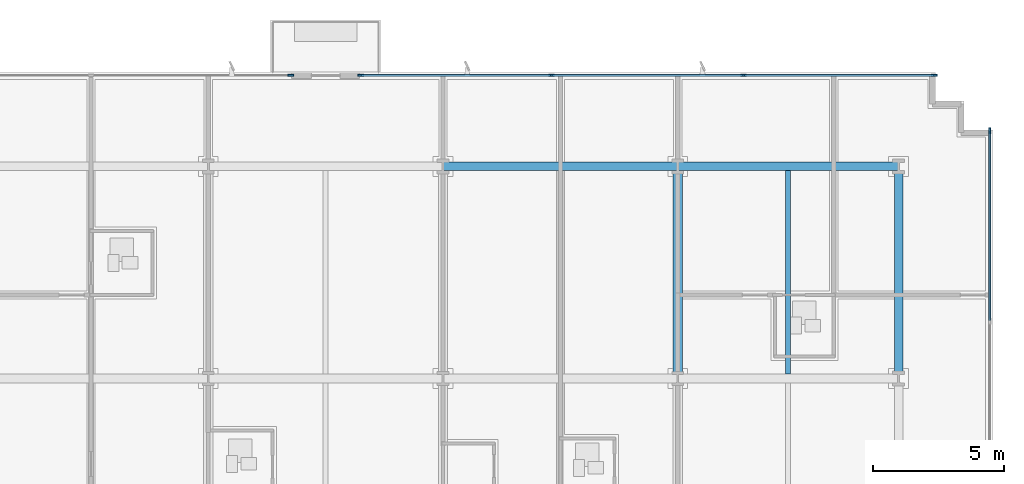
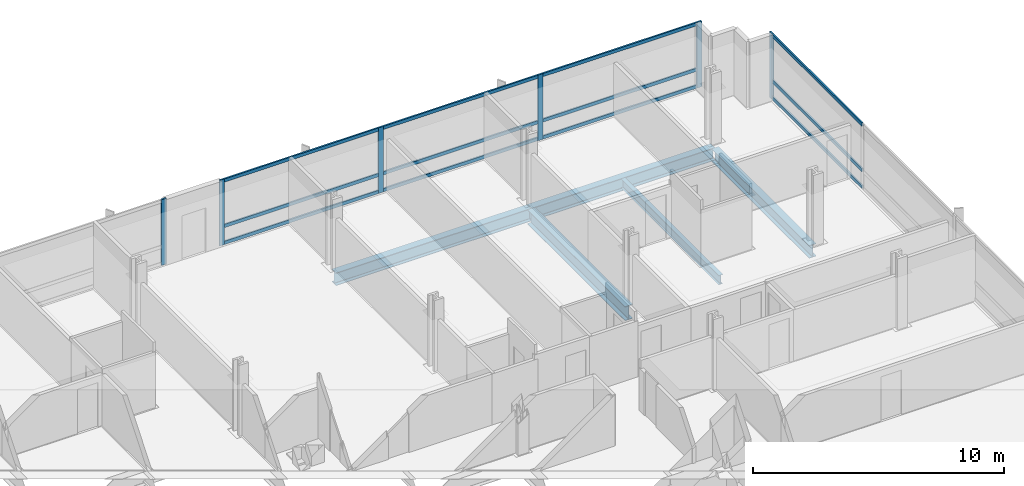
# One storey, part 6 of 18: 18 members, 5 beams, 3 elements without a shape of their own.
"""IFC4 building model written with IfcOpenShell, lengths in metres."""

from ifc_helpers import new_model, si_unit, direction, frame, origin, origin_2d, place, context, subcontext, project, spatial, rectangle, i_section, extrude, material, material_profile, profile_set, type_object, element, aggregate, save


model = new_model("IFC4")

# Units and contexts
model_context = context("Model", 3, precision=1e-05, world=origin(), true_north=direction((0.0, 1.0)))
body_context = subcontext(model_context, "Body", "Model", "MODEL_VIEW")
ifc_project = project(units=[si_unit("LENGTHUNIT", "METRE"), si_unit("AREAUNIT", "SQUARE_METRE"), si_unit("VOLUMEUNIT", "CUBIC_METRE"), si_unit("PLANEANGLEUNIT", "RADIAN"), si_unit("MASSUNIT", "GRAM", prefix="KILO")], contexts=[model_context])

# Site, building, storey
site_placement = place(None, origin())
site = spatial("IfcSite", under=ifc_project, at=site_placement, CompositionType="ELEMENT")
building_placement = place(site_placement, origin())
building = spatial("IfcBuilding", under=site, at=building_placement, Name="Solmavex Isthmus Hotel", CompositionType="ELEMENT")
storey_placement = place(building_placement, frame((0.0, 0.0, 43.64990234375)))
storey = spatial("IfcBuildingStorey", under=building, at=storey_placement, Name="L11", CompositionType="ELEMENT", Elevation=43.64990234375)

# Beams
ifc_material_1 = material(Name="Steel ASTM A992 Grade 50", Category="steel")
ifc_material_profile_1 = material_profile(ifc_material_1, i_section(OverallWidth=0.354736328125, OverallDepth=0.695556640625, WebThickness=0.015380859375, FlangeThickness=0.02490234375, FilletRadius=0.017822265625, at=origin_2d()), Name="W27X146")
ifc_profile_set_1 = profile_set([ifc_material_profile_1], Name="Steel ASTM A992 Grade 50")
beam_type_1 = type_object("IfcBeamType", Name="BM-BG-W27X146", PredefinedType="BEAM", material=ifc_profile_set_1)
beam_1_placement = place(storey_placement, frame((17.951904296875, 8.96533203125, -0.607666015625), z_axis=(0.0, 1.0, 0.0), x_axis=(-1.0, 0.0, 0.0)))
element("IfcBeam", 1, at=beam_1_placement, inside=storey, type_object=beam_type_1, Name="Floor Beam L11-VG45", PredefinedType="BEAM", context=body_context, shape_type="SweptSolid", body=[
    extrude(i_section(OverallWidth=0.354736328125, OverallDepth=0.695556640625, WebThickness=0.015380859375, FlangeThickness=0.02490234375, FilletRadius=0.017822265625, at=origin_2d()), origin(), (0.0, 0.0, 1.0), 7.771484375),
])
ifc_material_profile_2 = material_profile(ifc_material_1, i_section(OverallWidth=0.1904296875, OverallDepth=0.456787109375, WebThickness=0.009033203125, FlangeThickness=0.014404296875, FilletRadius=0.0126953125, at=origin_2d()), Name="W18X50")
ifc_profile_set_2 = profile_set([ifc_material_profile_2], Name="Steel ASTM A992 Grade 50")
beam_type_2 = type_object("IfcBeamType", Name="BM-BJ-W18X50", PredefinedType="JOIST", material=ifc_profile_set_2)
beam_2_placement = place(storey_placement, frame((22.176025390625, 8.96533203125, -0.48828125), z_axis=(0.0, 1.0, 0.0), x_axis=(-1.0, 0.0, 0.0)))
element("IfcBeam", 2, at=beam_2_placement, inside=storey, type_object=beam_type_2, Name="Secondary Floor Joist L11-J22", PredefinedType="JOIST", context=body_context, shape_type="SweptSolid", body=[
    extrude(i_section(OverallWidth=0.1904296875, OverallDepth=0.456787109375, WebThickness=0.009033203125, FlangeThickness=0.014404296875, FilletRadius=0.0126953125, at=origin_2d()), origin(), (0.0, 0.0, 1.0), 7.771484375),
])
ifc_material_profile_3 = material_profile(ifc_material_1, i_section(OverallWidth=0.326416015625, OverallDepth=0.621826171875, WebThickness=0.015380859375, FlangeThickness=0.0244140625, FilletRadius=0.01513671875, at=origin_2d()), Name="W24X131")
ifc_profile_set_3 = profile_set([ifc_material_profile_3], Name="Steel ASTM A992 Grade 50")
beam_type_3 = type_object("IfcBeamType", Name="BM-SP-W24X131", PredefinedType="SPANDREL", material=ifc_profile_set_3)
beam_3_placement = place(storey_placement, frame((8.97607421875, 16.89990234375, -0.57080078125), z_axis=(1.0, 0.0, 0.0), x_axis=(0.0, 1.0, 0.0)))
element("IfcBeam", 3, at=beam_3_placement, inside=storey, type_object=beam_type_3, Name="Floor Girder L11-UG23", PredefinedType="SPANDREL", context=body_context, shape_type="SweptSolid", body=[
    extrude(i_section(OverallWidth=0.326416015625, OverallDepth=0.621826171875, WebThickness=0.015380859375, FlangeThickness=0.0244140625, FilletRadius=0.01513671875, at=origin_2d()), origin(), (0.0, 0.0, 1.0), 8.975830078125),
])
beam_4_placement = place(storey_placement, frame((17.951904296875, 16.89990234375, -0.57080078125), z_axis=(1.0, 0.0, 0.0), x_axis=(0.0, 1.0, 0.0)))
element("IfcBeam", 4, at=beam_4_placement, inside=storey, type_object=beam_type_3, Name="Floor Girder L11-UG24", PredefinedType="SPANDREL", context=body_context, shape_type="SweptSolid", body=[
    extrude(i_section(OverallWidth=0.326416015625, OverallDepth=0.621826171875, WebThickness=0.015380859375, FlangeThickness=0.0244140625, FilletRadius=0.01513671875, at=origin_2d()), origin(), (0.0, 0.0, 1.0), 8.447998046875),
])
beam_5_placement = place(storey_placement, frame((26.39990234375, 8.96533203125, -0.57080078125), z_axis=(0.0, 1.0, 0.0), x_axis=(-1.0, 0.0, 0.0)))
element("IfcBeam", 5, at=beam_5_placement, inside=storey, type_object=beam_type_3, Name="Floor Beam L11-VG48", PredefinedType="SPANDREL", context=body_context, shape_type="SweptSolid", body=[
    extrude(i_section(OverallWidth=0.326416015625, OverallDepth=0.621826171875, WebThickness=0.015380859375, FlangeThickness=0.0244140625, FilletRadius=0.01513671875, at=origin_2d()), origin(), (0.0, 0.0, 1.0), 7.771484375),
])

# Curtain wall, member
ifc_material_2 = material(Name="Aluminium alloy 6063-T6", Category="aluminium")
curtain_wall_type = type_object("IfcCurtainWallType", Name="CW-SYS-02", PredefinedType="NOTDEFINED", material=ifc_material_2)
curtain_wall_1_placement = place(storey_placement, origin())
curtain_wall_1 = element("IfcCurtainWall", 6, at=curtain_wall_1_placement, inside=storey, type_object=curtain_wall_type, Name="Stick Curtain Wall CWL-L11-N2", PredefinedType="NOTDEFINED")
ifc_material_profile_4 = material_profile(ifc_material_2, rectangle(XDim=0.074951171875, YDim=0.219970703125, at=origin_2d()), Name="CWM-75X220")
ifc_profile_set_4 = profile_set([ifc_material_profile_4], Name="Aluminium alloy 6063-T6")
member_type_1 = type_object("IfcMemberType", Name="CW-SYS-02-MUL", PredefinedType="MULLION", material=ifc_profile_set_4)
member_1_placement = place(storey_placement, frame((3.150390625, 20.3798828125, 0.0), z_axis=(0.0, 0.0, 1.0), x_axis=(0.0, 1.0, 0.0)))
member_1 = element("IfcMember", 7, at=member_1_placement, type_object=member_type_1, Name="CW-02 mullion 3", PredefinedType="MULLION", context=body_context, shape_type="SweptSolid", body=[
    extrude(rectangle(XDim=0.074951171875, YDim=0.219970703125, at=origin_2d()), origin(), (0.0, 0.0, 1.0), 3.190185546875),
])
aggregate(curtain_wall_1, [member_1])

# Curtain wall, members
curtain_wall_2_placement = place(storey_placement, origin())
curtain_wall_2 = element("IfcCurtainWall", 8, at=curtain_wall_2_placement, inside=storey, type_object=curtain_wall_type, Name="Stick Curtain Wall CWL-L11-N3", PredefinedType="NOTDEFINED")
member_2_placement = place(storey_placement, frame((5.825439453125, 20.3798828125, 0.0), z_axis=(0.0, 0.0, 1.0), x_axis=(0.0, 1.0, 0.0)))
member_2 = element("IfcMember", 9, at=member_2_placement, type_object=member_type_1, Name="CW-02 mullion 1", PredefinedType="MULLION", context=body_context, shape_type="SweptSolid", body=[
    extrude(rectangle(XDim=0.074951171875, YDim=0.219970703125, at=origin_2d()), origin(), (0.0, 0.0, 1.0), 3.190185546875),
])
member_3_placement = place(storey_placement, frame((13.125244140625, 20.3798828125, 0.0), z_axis=(0.0, 0.0, 1.0), x_axis=(0.0, 1.0, 0.0)))
member_3 = element("IfcMember", 10, at=member_3_placement, type_object=member_type_1, Name="CW-02 mullion 2", PredefinedType="MULLION", context=body_context, shape_type="SweptSolid", body=[
    extrude(rectangle(XDim=0.074951171875, YDim=0.219970703125, at=origin_2d()), origin(), (0.0, 0.0, 1.0), 3.190185546875),
])
member_4_placement = place(storey_placement, frame((20.462646484375, 20.3798828125, 0.0), z_axis=(0.0, 0.0, 1.0), x_axis=(0.0, 1.0, 0.0)))
member_4 = element("IfcMember", 11, at=member_4_placement, type_object=member_type_1, Name="CW-02 mullion 3", PredefinedType="MULLION", context=body_context, shape_type="SweptSolid", body=[
    extrude(rectangle(XDim=0.074951171875, YDim=0.219970703125, at=origin_2d()), origin(), (0.0, 0.0, 1.0), 3.190185546875),
])
member_5_placement = place(storey_placement, frame((27.762451171875, 20.3798828125, 0.0), z_axis=(0.0, 0.0, 1.0), x_axis=(0.0, 1.0, 0.0)))
member_5 = element("IfcMember", 12, at=member_5_placement, type_object=member_type_1, Name="CW-02 mullion 4", PredefinedType="MULLION", context=body_context, shape_type="SweptSolid", body=[
    extrude(rectangle(XDim=0.074951171875, YDim=0.219970703125, at=origin_2d()), origin(), (0.0, 0.0, 1.0), 3.190185546875),
])

# Curtain wall, member
curtain_wall_3_placement = place(storey_placement, origin())
curtain_wall_3 = element("IfcCurtainWall", 13, at=curtain_wall_3_placement, inside=storey, type_object=curtain_wall_type, Name="Stick Curtain Wall CWL-L11-E1", PredefinedType="NOTDEFINED")
member_6_placement = place(storey_placement, frame((29.8798828125, 18.262451171875, 0.0), z_axis=(0.0, 0.0, 1.0), x_axis=(-1.0, 0.0, 0.0)))
member_6 = element("IfcMember", 14, at=member_6_placement, type_object=member_type_1, Name="CW-02 mullion 6", PredefinedType="MULLION", context=body_context, shape_type="SweptSolid", body=[
    extrude(rectangle(XDim=0.074951171875, YDim=0.219970703125, at=origin_2d()), origin(), (0.0, 0.0, 1.0), 3.190185546875),
])

# Member
ifc_material_profile_5 = material_profile(ifc_material_2, rectangle(XDim=0.074951171875, YDim=0.159912109375, at=origin_2d()), Name="CWT-75X160")
ifc_profile_set_5 = profile_set([ifc_material_profile_5], Name="Aluminium alloy 6063-T6")
member_type_2 = type_object("IfcMemberType", Name="CW-SYS-02-TRN", PredefinedType="USERDEFINED", material=ifc_profile_set_5)
member_7_placement = place(storey_placement, frame((5.863037109375, 20.3798828125, 0.080078125), z_axis=(1.0, 0.0, 0.0), x_axis=(0.0, 1.0, 0.0)))
member_7 = element("IfcMember", 15, at=member_7_placement, type_object=member_type_2, Name="CW-02 transom 1.1", ObjectType="TRANSOM", PredefinedType="USERDEFINED", context=body_context, shape_type="SweptSolid", body=[
    extrude(rectangle(XDim=0.074951171875, YDim=0.159912109375, at=origin_2d()), origin(), (0.0, 0.0, 1.0), 7.224853515625),
])

member_8_placement = place(storey_placement, frame((5.863037109375, 20.3798828125, 0.900146484375), z_axis=(1.0, 0.0, 0.0), x_axis=(0.0, 1.0, 0.0)))
member_8 = element("IfcMember", 16, at=member_8_placement, type_object=member_type_2, Name="CW-02 transom 1.2", ObjectType="TRANSOM", PredefinedType="USERDEFINED", context=body_context, shape_type="SweptSolid", body=[
    extrude(rectangle(XDim=0.074951171875, YDim=0.159912109375, at=origin_2d()), origin(), (0.0, 0.0, 1.0), 7.224853515625),
])

member_9_placement = place(storey_placement, frame((5.863037109375, 20.3798828125, 3.110107421875), z_axis=(1.0, 0.0, 0.0), x_axis=(0.0, 1.0, 0.0)))
member_9 = element("IfcMember", 17, at=member_9_placement, type_object=member_type_2, Name="CW-02 transom 1.3", ObjectType="TRANSOM", PredefinedType="USERDEFINED", context=body_context, shape_type="SweptSolid", body=[
    extrude(rectangle(XDim=0.074951171875, YDim=0.159912109375, at=origin_2d()), origin(), (0.0, 0.0, 1.0), 7.224853515625),
])

member_10_placement = place(storey_placement, frame((13.162841796875, 20.3798828125, 0.080078125), z_axis=(1.0, 0.0, 0.0), x_axis=(0.0, 1.0, 0.0)))
member_10 = element("IfcMember", 18, at=member_10_placement, type_object=member_type_2, Name="CW-02 transom 2.1", ObjectType="TRANSOM", PredefinedType="USERDEFINED", context=body_context, shape_type="SweptSolid", body=[
    extrude(rectangle(XDim=0.074951171875, YDim=0.159912109375, at=origin_2d()), origin(), (0.0, 0.0, 1.0), 7.26220703125),
])

member_11_placement = place(storey_placement, frame((13.162841796875, 20.3798828125, 0.900146484375), z_axis=(1.0, 0.0, 0.0), x_axis=(0.0, 1.0, 0.0)))
member_11 = element("IfcMember", 19, at=member_11_placement, type_object=member_type_2, Name="CW-02 transom 2.2", ObjectType="TRANSOM", PredefinedType="USERDEFINED", context=body_context, shape_type="SweptSolid", body=[
    extrude(rectangle(XDim=0.074951171875, YDim=0.159912109375, at=origin_2d()), origin(), (0.0, 0.0, 1.0), 7.26220703125),
])

member_12_placement = place(storey_placement, frame((13.162841796875, 20.3798828125, 3.110107421875), z_axis=(1.0, 0.0, 0.0), x_axis=(0.0, 1.0, 0.0)))
member_12 = element("IfcMember", 20, at=member_12_placement, type_object=member_type_2, Name="CW-02 transom 2.3", ObjectType="TRANSOM", PredefinedType="USERDEFINED", context=body_context, shape_type="SweptSolid", body=[
    extrude(rectangle(XDim=0.074951171875, YDim=0.159912109375, at=origin_2d()), origin(), (0.0, 0.0, 1.0), 7.26220703125),
])

member_13_placement = place(storey_placement, frame((20.500244140625, 20.3798828125, 0.080078125), z_axis=(1.0, 0.0, 0.0), x_axis=(0.0, 1.0, 0.0)))
member_13 = element("IfcMember", 21, at=member_13_placement, type_object=member_type_2, Name="CW-02 transom 3.1", ObjectType="TRANSOM", PredefinedType="USERDEFINED", context=body_context, shape_type="SweptSolid", body=[
    extrude(rectangle(XDim=0.074951171875, YDim=0.159912109375, at=origin_2d()), origin(), (0.0, 0.0, 1.0), 7.224853515625),
])

member_14_placement = place(storey_placement, frame((20.500244140625, 20.3798828125, 0.900146484375), z_axis=(1.0, 0.0, 0.0), x_axis=(0.0, 1.0, 0.0)))
member_14 = element("IfcMember", 22, at=member_14_placement, type_object=member_type_2, Name="CW-02 transom 3.2", ObjectType="TRANSOM", PredefinedType="USERDEFINED", context=body_context, shape_type="SweptSolid", body=[
    extrude(rectangle(XDim=0.074951171875, YDim=0.159912109375, at=origin_2d()), origin(), (0.0, 0.0, 1.0), 7.224853515625),
])

member_15_placement = place(storey_placement, frame((20.500244140625, 20.3798828125, 3.110107421875), z_axis=(1.0, 0.0, 0.0), x_axis=(0.0, 1.0, 0.0)))
member_15 = element("IfcMember", 23, at=member_15_placement, type_object=member_type_2, Name="CW-02 transom 3.3", ObjectType="TRANSOM", PredefinedType="USERDEFINED", context=body_context, shape_type="SweptSolid", body=[
    extrude(rectangle(XDim=0.074951171875, YDim=0.159912109375, at=origin_2d()), origin(), (0.0, 0.0, 1.0), 7.224853515625),
])

aggregate(curtain_wall_2, [member_2, member_3, member_4, member_5, member_7, member_8, member_9, member_10, member_11, member_12, member_13, member_14, member_15])

member_16_placement = place(storey_placement, frame((29.8798828125, 11.017578125, 0.080078125), z_axis=(0.0, 1.0, 0.0), x_axis=(-1.0, 0.0, 0.0)))
member_16 = element("IfcMember", 24, at=member_16_placement, type_object=member_type_2, Name="CW-02 transom 5.1", ObjectType="TRANSOM", PredefinedType="USERDEFINED", context=body_context, shape_type="SweptSolid", body=[
    extrude(rectangle(XDim=0.074951171875, YDim=0.159912109375, at=origin_2d()), origin(), (0.0, 0.0, 1.0), 7.20751953125),
])

member_17_placement = place(storey_placement, frame((29.8798828125, 11.017578125, 0.900146484375), z_axis=(0.0, 1.0, 0.0), x_axis=(-1.0, 0.0, 0.0)))
member_17 = element("IfcMember", 25, at=member_17_placement, type_object=member_type_2, Name="CW-02 transom 5.2", ObjectType="TRANSOM", PredefinedType="USERDEFINED", context=body_context, shape_type="SweptSolid", body=[
    extrude(rectangle(XDim=0.074951171875, YDim=0.159912109375, at=origin_2d()), origin(), (0.0, 0.0, 1.0), 7.20751953125),
])

member_18_placement = place(storey_placement, frame((29.8798828125, 11.017578125, 3.110107421875), z_axis=(0.0, 1.0, 0.0), x_axis=(-1.0, 0.0, 0.0)))
member_18 = element("IfcMember", 26, at=member_18_placement, type_object=member_type_2, Name="CW-02 transom 5.3", ObjectType="TRANSOM", PredefinedType="USERDEFINED", context=body_context, shape_type="SweptSolid", body=[
    extrude(rectangle(XDim=0.074951171875, YDim=0.159912109375, at=origin_2d()), origin(), (0.0, 0.0, 1.0), 7.20751953125),
])

aggregate(curtain_wall_3, [member_6, member_16, member_17, member_18])

save(model, "model.ifc")
